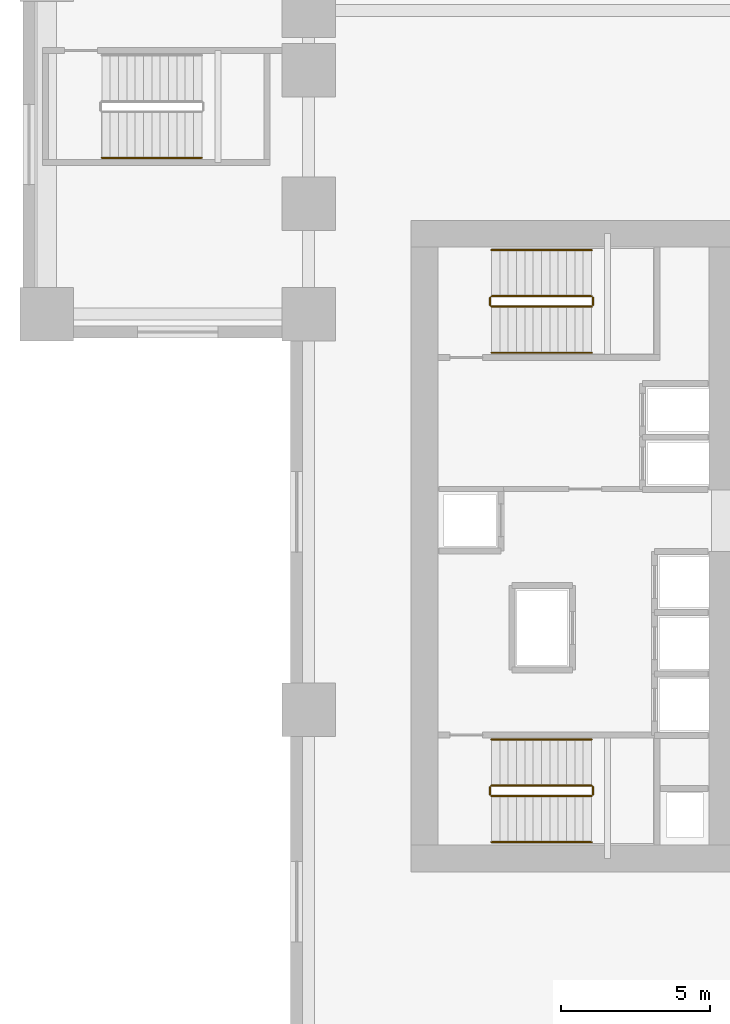
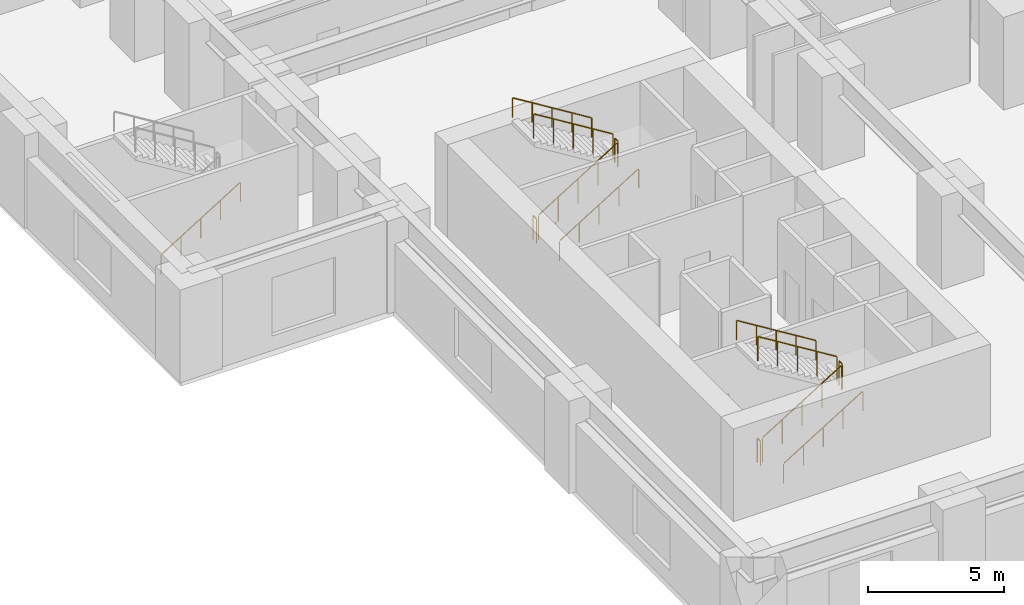
# One storey, part 9 of 11: 13 railings.
"""IFC4 building model written with IfcOpenShell, lengths in metres."""

import ifcopenshell
import ifcopenshell.guid

model = None  # the IFC model being written
_history = None  # IfcOwnerHistory: only IFC2X3 demands one
_inside = {}  # id of a spatial element -> (the spatial element, [elements in it])
_under = {}  # id of a project, library or spatial element -> (it, [spatial elements below it])
_declared = {}  # id of a project -> (the project, [libraries it declares])
_typed = {}  # id of a type object -> (the type object, [elements of that type])
_made_of = {}  # id of a material, layer set ... -> (it, [elements and type objects made of it])


def new_model(schema):
    """Start an empty IFC model of exactly this schema.

    Asked for "IFC4X3", IfcOpenShell would pick the latest addendum, in which some entities
    have other attributes; the version numbers below select the first issue.
    IFC2X3 requires an IfcOwnerHistory on every rooted entity: one is made here for all.
    """
    global model, _history
    if schema == "IFC4X3":
        model = ifcopenshell.file(schema_version=(4, 3, 0, 0))
    else:
        model = ifcopenshell.file(schema=schema)
    _inside.clear()
    _under.clear()
    _declared.clear()
    _typed.clear()
    _made_of.clear()
    _history = None
    if model.schema == "IFC2X3":
        org = make("IfcOrganization", Name="unknown")
        user = make(
            "IfcPersonAndOrganization",
            ThePerson=make("IfcPerson", FamilyName="unknown"),
            TheOrganization=org,
        )
        app = make(
            "IfcApplication",
            ApplicationDeveloper=org,
            Version="unknown",
            ApplicationFullName="unknown",
            ApplicationIdentifier="unknown",
        )
        _history = make(
            "IfcOwnerHistory",
            OwningUser=user,
            OwningApplication=app,
            ChangeAction="ADDED",
            CreationDate=0,
        )
    return model


def make(cls, **values):
    """One entity of the class cls with the attributes given. An attribute that is None is left unset."""
    return model.create_entity(
        cls, **{name: value for name, value in values.items() if value is not None}
    )


def rooted(cls, **values):
    """An entity with a GlobalId (a new one), such as an element, a storey or a relation."""
    return make(cls, GlobalId=ifcopenshell.guid.new(), OwnerHistory=_history, **values)


def si_unit(unit_type, name, prefix=None):
    """IfcSIUnit, for example si_unit("LENGTHUNIT", "METRE", prefix="MILLI")."""
    return make("IfcSIUnit", UnitType=unit_type, Prefix=prefix, Name=name)


def assignment(units):
    """IfcUnitAssignment: the units of a project."""
    return None if units is None else make("IfcUnitAssignment", Units=units)


def point(xyz):
    """IfcCartesianPoint."""
    return None if xyz is None else make("IfcCartesianPoint", Coordinates=xyz)


def direction(xyz):
    """IfcDirection."""
    return None if xyz is None else make("IfcDirection", DirectionRatios=xyz)


def frame(location, z_axis=None, x_axis=None):
    """IfcAxis2Placement3D, a coordinate frame: its origin and axes. An axis left out is left unset."""
    return make(
        "IfcAxis2Placement3D",
        Location=point(location),
        Axis=direction(z_axis),
        RefDirection=direction(x_axis),
    )


def frame_2d(location, x_axis=None):
    """IfcAxis2Placement2D, a coordinate frame in the plane: its origin and x axis."""
    return make(
        "IfcAxis2Placement2D", Location=point(location), RefDirection=direction(x_axis)
    )


def origin():
    """The frame at (0, 0, 0) with its axes left unset."""
    return frame((0.0, 0.0, 0.0))


def origin_2d():
    """The frame at (0, 0) in the plane with its x axis left unset."""
    return frame_2d((0.0, 0.0))


def place(relative_to, where):
    """IfcLocalPlacement: puts the frame where relative to a parent placement (None: the world)."""
    return make(
        "IfcLocalPlacement", PlacementRelTo=relative_to, RelativePlacement=where
    )


def context(
    kind, dimensions, precision=None, world=None, true_north=None, identifier=None
):
    """IfcGeometricRepresentationContext, for example the 3D "Model" context."""
    return make(
        "IfcGeometricRepresentationContext",
        ContextIdentifier=identifier,
        ContextType=kind,
        CoordinateSpaceDimension=dimensions,
        Precision=precision,
        WorldCoordinateSystem=world,
        TrueNorth=true_north,
    )


def subcontext(parent, identifier, kind, view, scale=None):
    """IfcGeometricRepresentationSubContext, for example "Body" below "Model"."""
    return make(
        "IfcGeometricRepresentationSubContext",
        ContextIdentifier=identifier,
        ContextType=kind,
        ParentContext=parent,
        TargetScale=scale,
        TargetView=view,
    )


def project(units=None, contexts=None):
    """IfcProject with its units and contexts."""
    return rooted(
        "IfcProject",
        Name="project",
        RepresentationContexts=contexts,
        UnitsInContext=assignment(units),
    )


def spatial(cls, under=None, at=None, **own):
    """A site, building, storey or space (cls), placed at a placement, below another one or the project."""
    s = rooted(cls, ObjectPlacement=at, **own)
    if under is not None:
        _under.setdefault(under.id(), (under, []))[1].append(s)
    return s


def profile(cls, at=None, kind="AREA", **sizes):
    """A parametric profile (cls). Its sizes go by their IFC names, for example OverallWidth=200.0."""
    return make(cls, ProfileType=kind, Position=at, **sizes)


def circle(**sizes):
    """IfcCircleProfileDef."""
    return profile("IfcCircleProfileDef", **sizes)


def extrude(swept, where, along, depth):
    """IfcExtrudedAreaSolid: the profile swept, set in the frame where, extruded along a direction by depth."""
    return make(
        "IfcExtrudedAreaSolid",
        SweptArea=swept,
        Position=where,
        ExtrudedDirection=direction(along),
        Depth=depth,
    )


def shape(context_of_items, identifier, shape_type, items):
    """IfcShapeRepresentation: the items that make up one representation, for example the "Body"."""
    return make(
        "IfcShapeRepresentation",
        ContextOfItems=context_of_items,
        RepresentationIdentifier=identifier,
        RepresentationType=shape_type,
        Items=items,
    )


def source(mapping_origin, context_of_items, identifier, shape_type, items):
    """IfcRepresentationMap: a shape defined once, which mapped items show again and again."""
    return make(
        "IfcRepresentationMap",
        MappingOrigin=mapping_origin,
        MappedRepresentation=shape(context_of_items, identifier, shape_type, items),
    )


def transform(
    local_origin,
    x_axis=None,
    y_axis=None,
    z_axis=None,
    scale=None,
    scale2=None,
    scale3=None,
    uniform=True,
):
    """IfcCartesianTransformationOperator3D, or its non-uniform kind. x_axis, y_axis, z_axis: its Axis1, 2, 3."""
    if uniform:
        return make(
            "IfcCartesianTransformationOperator3D",
            Axis1=direction(x_axis),
            Axis2=direction(y_axis),
            LocalOrigin=point(local_origin),
            Scale=scale,
            Axis3=direction(z_axis),
        )
    return make(
        "IfcCartesianTransformationOperator3DnonUniform",
        Axis1=direction(x_axis),
        Axis2=direction(y_axis),
        LocalOrigin=point(local_origin),
        Scale=scale,
        Axis3=direction(z_axis),
        Scale2=scale2,
        Scale3=scale3,
    )


def mapped(mapping_source, mapping_target):
    """IfcMappedItem: shows the shape of a source again, moved by a transform."""
    return make(
        "IfcMappedItem", MappingSource=mapping_source, MappingTarget=mapping_target
    )


def material(Name=None, Category=None):
    """IfcMaterial."""
    return make("IfcMaterial", Name=Name, Category=Category)


def layer(
    of_material, thickness, ventilated=None, Name=None, Category=None, Priority=None
):
    """IfcMaterialLayer: one layer of a wall or slab, of a material (None: an air gap)."""
    return make(
        "IfcMaterialLayer",
        Material=of_material,
        LayerThickness=thickness,
        IsVentilated=ventilated,
        Name=Name,
        Category=Category,
        Priority=Priority,
    )


def layer_set(layers, Name=None):
    """IfcMaterialLayerSet."""
    return make("IfcMaterialLayerSet", MaterialLayers=layers, LayerSetName=Name)


def made_of(thing, what):
    """Note that an element or type object is made of a material, layer set ...; save() writes the relation."""
    if what is not None:
        _made_of.setdefault(what.id(), (what, []))[1].append(thing)
    return thing


def type_object(cls, material=None, **own):
    """A type object (cls), such as IfcWallType, which elements share."""
    return made_of(rooted(cls, **own), material)


def element(
    cls,
    number,
    at=None,
    inside=None,
    cuts=None,
    type_object=None,
    material=None,
    context=None,
    identifier="Body",
    shape_type=None,
    held_by="IfcProductDefinitionShape",
    body=None,
    shapes=None,
    **own,
):
    """One element of the class cls, such as IfcWall. Its Tag is "e" and its number.

    at: its placement. inside: the storey or other place that contains it. cuts: it is an
    opening in that element (IfcRelVoidsElement). A single representation is given by context,
    identifier, shape_type and body (its items); several are given by shapes. held_by: the class
    of the entity that holds the representations. save() writes the other relations.
    """
    e = rooted(cls, Tag="e%d" % number, ObjectPlacement=at, **own)
    if body is not None:
        shapes = [shape(context, identifier, shape_type, body)]
    if shapes is not None:
        e.Representation = make(held_by, Representations=shapes)
    if inside is not None:
        _inside.setdefault(inside.id(), (inside, []))[1].append(e)
    if cuts is not None:
        rooted(
            "IfcRelVoidsElement", RelatingBuildingElement=cuts, RelatedOpeningElement=e
        )
    if type_object is not None:
        _typed.setdefault(type_object.id(), (type_object, []))[1].append(e)
    return made_of(e, material)


def aggregate(whole, parts):
    """IfcRelAggregates: a whole, such as a stair, and the parts it consists of."""
    return rooted("IfcRelAggregates", RelatingObject=whole, RelatedObjects=parts)


def save(model, path):
    """Write the relations noted so far, then the file.

    IfcRelAggregates (storeys below a building ...), IfcRelContainedInSpatialStructure (elements
    in a storey), IfcRelDefinesByType, IfcRelAssociatesMaterial and IfcRelDeclares: one each for
    every whole, place, type object, material and project.
    """
    for whole, parts in _under.values():
        aggregate(whole, parts)
    for where, things in _inside.values():
        rooted(
            "IfcRelContainedInSpatialStructure",
            RelatedElements=things,
            RelatingStructure=where,
        )
    for kind, things in _typed.values():
        rooted("IfcRelDefinesByType", RelatedObjects=things, RelatingType=kind)
    for what, things in _made_of.values():
        rooted("IfcRelAssociatesMaterial", RelatedObjects=things, RelatingMaterial=what)
    for by, libraries in _declared.values():
        rooted("IfcRelDeclares", RelatingContext=by, RelatedDefinitions=libraries)
    model.write(path)


model = new_model("IFC4")

# Units and contexts
model_context = context("Model", 3, precision=1e-05, world=origin(), true_north=direction((0.0, 1.0)))
body_context = subcontext(model_context, "Body", "Model", "MODEL_VIEW")
ifc_project = project(units=[si_unit("LENGTHUNIT", "METRE"), si_unit("AREAUNIT", "SQUARE_METRE"), si_unit("VOLUMEUNIT", "CUBIC_METRE"), si_unit("PLANEANGLEUNIT", "RADIAN"), si_unit("MASSUNIT", "GRAM", prefix="KILO")], contexts=[model_context])

# Site, building, storey
site_placement = place(None, origin())
site = spatial("IfcSite", under=ifc_project, at=site_placement, CompositionType="ELEMENT")
building_placement = place(site_placement, origin())
building = spatial("IfcBuilding", under=site, at=building_placement, Name="Kharzan Plaza Tower", CompositionType="ELEMENT")
storey_placement = place(building_placement, frame((0.0, 0.0, 13.5)))
storey = spatial("IfcBuildingStorey", under=building, at=storey_placement, Name="L03", CompositionType="ELEMENT", Elevation=13.5)

# Railings
ifc_material_1 = material(Name="Painted Galvanized Architectural Steel", Category="steel")
ifc_layer_1 = layer(ifc_material_1, 0.074951171875)
ifc_layer_set_1 = layer_set([ifc_layer_1], Name="Painted Galvanized Architectural Steel")
railing_type_1 = type_object("IfcRailingType", Name="RL-GUARD-1120", PredefinedType="BALUSTRADE", material=ifc_layer_set_1)
shared_shape_1 = source(origin(), body_context, "Body", "SweptSolid", [
    extrude(circle(Radius=0.02392578125, at=origin_2d()), frame((0.0224609375, 0.0, 1.10986328125), z_axis=(0.850623216509, 0.0, 0.525775754039), x_axis=(0.0, 1.0, 0.0)), (0.0, 0.0, 1.0), 3.897216796875),
    extrude(circle(Radius=0.02099609375, at=origin_2d()), origin(), (0.0, 0.0, 1.0), 1.072021484375),
    extrude(circle(Radius=0.02099609375, at=origin_2d()), frame((0.840087890625, 0.0, 0.519287109375)), (0.0, 0.0, 1.0), 1.072021484375),
    extrude(circle(Radius=0.02099609375, at=origin_2d()), frame((1.68017578125, 0.0, 1.03857421875)), (0.0, 0.0, 1.0), 1.072021484375),
    extrude(circle(Radius=0.02099609375, at=origin_2d()), frame((2.52001953125, 0.0, 1.5576171875)), (0.0, 0.0, 1.0), 1.072021484375),
    extrude(circle(Radius=0.02099609375, at=origin_2d()), frame((3.360107421875, 0.0, 2.076904296875)), (0.0, 0.0, 1.0), 1.072021484375),
])
for number, where, name in (
    (1, (6.75, 10.60009765625, 0.173095703125), "L03 ST-1 stair guard 1"),
    (2, (6.75, 27.050048828125, 0.173095703125), "L03 ST-2 stair guard 1"),
):
    element("IfcRailing", number, at=place(storey_placement, frame(where)), inside=storey, type_object=railing_type_1, Name=name, PredefinedType="BALUSTRADE", context=body_context, shape_type="MappedRepresentation", body=[
        mapped(shared_shape_1, transform((0.0, 0.0, 0.0), x_axis=(1.0, 0.0, 0.0), y_axis=(0.0, 1.0, 0.0), z_axis=(0.0, 0.0, 1.0))),
    ])
shared_shape_2 = source(origin(), body_context, "Body", "SweptSolid", [
    extrude(circle(Radius=0.02392578125, at=origin_2d()), frame((0.0, 0.0263671875, 1.09619140625), z_axis=(0.0, 1.0, 0.0), x_axis=(-1.0, 0.0, 0.0)), (0.0, 0.0, 1.0), 0.197021484375),
    extrude(circle(Radius=0.02099609375, at=origin_2d()), origin(), (0.0, 0.0, 1.0), 1.072021484375),
    extrude(circle(Radius=0.02099609375, at=origin_2d()), frame((0.0, 0.25, 0.0)), (0.0, 0.0, 1.0), 1.072021484375),
])
for number, where, name in (
    (3, (10.159912109375, 10.64990234375, 2.25), "L03 ST-1 stair guard 2"),
    (4, (6.699951171875, 10.64990234375, 0.0), "L03 ST-1 stair guard 4"),
    (5, (10.159912109375, 27.10009765625, 2.25), "L03 ST-2 stair guard 2"),
    (6, (6.699951171875, 27.10009765625, 0.0), "L03 ST-2 stair guard 4"),
):
    element("IfcRailing", number, at=place(storey_placement, frame(where)), inside=storey, type_object=railing_type_1, Name=name, PredefinedType="BALUSTRADE", context=body_context, shape_type="MappedRepresentation", body=[
        mapped(shared_shape_2, transform((0.0, 0.0, 0.0), x_axis=(1.0, 0.0, 0.0), y_axis=(0.0, 1.0, 0.0), z_axis=(0.0, 0.0, 1.0))),
    ])
shared_shape_3 = source(origin(), body_context, "Body", "SweptSolid", [
    extrude(circle(Radius=0.02392578125, at=origin_2d()), frame((-0.0224609375, 0.0, 1.10986328125), z_axis=(-0.850623216509, 0.0, 0.525775754039), x_axis=(0.0, -1.0, 0.0)), (0.0, 0.0, 1.0), 3.897216796875),
    extrude(circle(Radius=0.02099609375, at=origin_2d()), origin(), (0.0, 0.0, 1.0), 1.072021484375),
    extrude(circle(Radius=0.02099609375, at=origin_2d()), frame((-0.840087890625, 0.0, 0.519287109375)), (0.0, 0.0, 1.0), 1.072021484375),
    extrude(circle(Radius=0.02099609375, at=origin_2d()), frame((-1.68017578125, 0.0, 1.03857421875)), (0.0, 0.0, 1.0), 1.072021484375),
    extrude(circle(Radius=0.02099609375, at=origin_2d()), frame((-2.52001953125, 0.0, 1.5576171875)), (0.0, 0.0, 1.0), 1.072021484375),
    extrude(circle(Radius=0.02099609375, at=origin_2d()), frame((-3.360107421875, 0.0, 2.076904296875)), (0.0, 0.0, 1.0), 1.072021484375),
])
for number, where, name in (
    (7, (10.110107421875, 10.949951171875, 2.423095703125), "L03 ST-1 stair guard 3"),
    (8, (10.110107421875, 27.39990234375, 2.423095703125), "L03 ST-2 stair guard 3"),
):
    element("IfcRailing", number, at=place(storey_placement, frame(where)), inside=storey, type_object=railing_type_1, Name=name, PredefinedType="BALUSTRADE", context=body_context, shape_type="MappedRepresentation", body=[
        mapped(shared_shape_3, transform((0.0, 0.0, 0.0), x_axis=(1.0, 0.0, 0.0), y_axis=(0.0, 1.0, 0.0), z_axis=(0.0, 0.0, 1.0))),
    ])
ifc_material_2 = material(Name="Brushed Stainless Steel", Category="steel")
ifc_layer_2 = layer(ifc_material_2, 0.050048828125)
ifc_layer_set_2 = layer_set([ifc_layer_2], Name="Brushed Stainless Steel")
railing_type_2 = type_object("IfcRailingType", Name="RL-STAIR-HR920", PredefinedType="HANDRAIL", material=ifc_layer_set_2)
shared_shape_4 = source(origin(), body_context, "Body", "SweptSolid", [
    extrude(circle(Radius=0.02392578125, at=origin_2d()), frame((0.0224609375, 0.0, 0.8896484375), z_axis=(0.850623216509, 0.0, 0.525775754039), x_axis=(0.0, 1.0, 0.0)), (0.0, 0.0, 1.0), 3.897216796875),
    extrude(circle(Radius=0.02099609375, at=origin_2d()), origin(), (0.0, 0.0, 1.0), 0.851806640625),
    extrude(circle(Radius=0.02099609375, at=origin_2d()), frame((0.840087890625, 0.0, 0.519287109375)), (0.0, 0.0, 1.0), 0.851806640625),
    extrude(circle(Radius=0.02099609375, at=origin_2d()), frame((1.68017578125, 0.0, 1.03857421875)), (0.0, 0.0, 1.0), 0.851806640625),
    extrude(circle(Radius=0.02099609375, at=origin_2d()), frame((2.52001953125, 0.0, 1.5576171875)), (0.0, 0.0, 1.0), 0.851806640625),
    extrude(circle(Radius=0.02099609375, at=origin_2d()), frame((3.360107421875, 0.0, 2.076904296875)), (0.0, 0.0, 1.0), 0.851806640625),
])
for number, where, name in (
    (9, (6.75, 9.050048828125, 0.173095703125), "L03 ST-1 stair handrail 1"),
    (10, (6.75, 25.5, 0.173095703125), "L03 ST-2 stair handrail 1"),
    (11, (-6.35009765625, 32.050048828125, 0.173095703125), "L03 ST-4 stair handrail 1"),
):
    element("IfcRailing", number, at=place(storey_placement, frame(where)), inside=storey, type_object=railing_type_2, Name=name, PredefinedType="HANDRAIL", context=body_context, shape_type="MappedRepresentation", body=[
        mapped(shared_shape_4, transform((0.0, 0.0, 0.0), x_axis=(1.0, 0.0, 0.0), y_axis=(0.0, 1.0, 0.0), z_axis=(0.0, 0.0, 1.0))),
    ])
shared_shape_5 = source(origin(), body_context, "Body", "SweptSolid", [
    extrude(circle(Radius=0.02392578125, at=origin_2d()), frame((-0.0224609375, 0.0, 0.8896484375), z_axis=(-0.850623216509, 0.0, 0.525775754039), x_axis=(0.0, -1.0, 0.0)), (0.0, 0.0, 1.0), 3.897216796875),
    extrude(circle(Radius=0.02099609375, at=origin_2d()), origin(), (0.0, 0.0, 1.0), 0.851806640625),
    extrude(circle(Radius=0.02099609375, at=origin_2d()), frame((-0.840087890625, 0.0, 0.519287109375)), (0.0, 0.0, 1.0), 0.851806640625),
    extrude(circle(Radius=0.02099609375, at=origin_2d()), frame((-1.68017578125, 0.0, 1.03857421875)), (0.0, 0.0, 1.0), 0.851806640625),
    extrude(circle(Radius=0.02099609375, at=origin_2d()), frame((-2.52001953125, 0.0, 1.5576171875)), (0.0, 0.0, 1.0), 0.851806640625),
    extrude(circle(Radius=0.02099609375, at=origin_2d()), frame((-3.360107421875, 0.0, 2.076904296875)), (0.0, 0.0, 1.0), 0.851806640625),
])
for number, where, name in (
    (12, (10.110107421875, 12.5, 2.423095703125), "L03 ST-1 stair handrail 2"),
    (13, (10.110107421875, 28.949951171875, 2.423095703125), "L03 ST-2 stair handrail 2"),
):
    element("IfcRailing", number, at=place(storey_placement, frame(where)), inside=storey, type_object=railing_type_2, Name=name, PredefinedType="HANDRAIL", context=body_context, shape_type="MappedRepresentation", body=[
        mapped(shared_shape_5, transform((0.0, 0.0, 0.0), x_axis=(1.0, 0.0, 0.0), y_axis=(0.0, 1.0, 0.0), z_axis=(0.0, 0.0, 1.0))),
    ])

save(model, "model.ifc")
